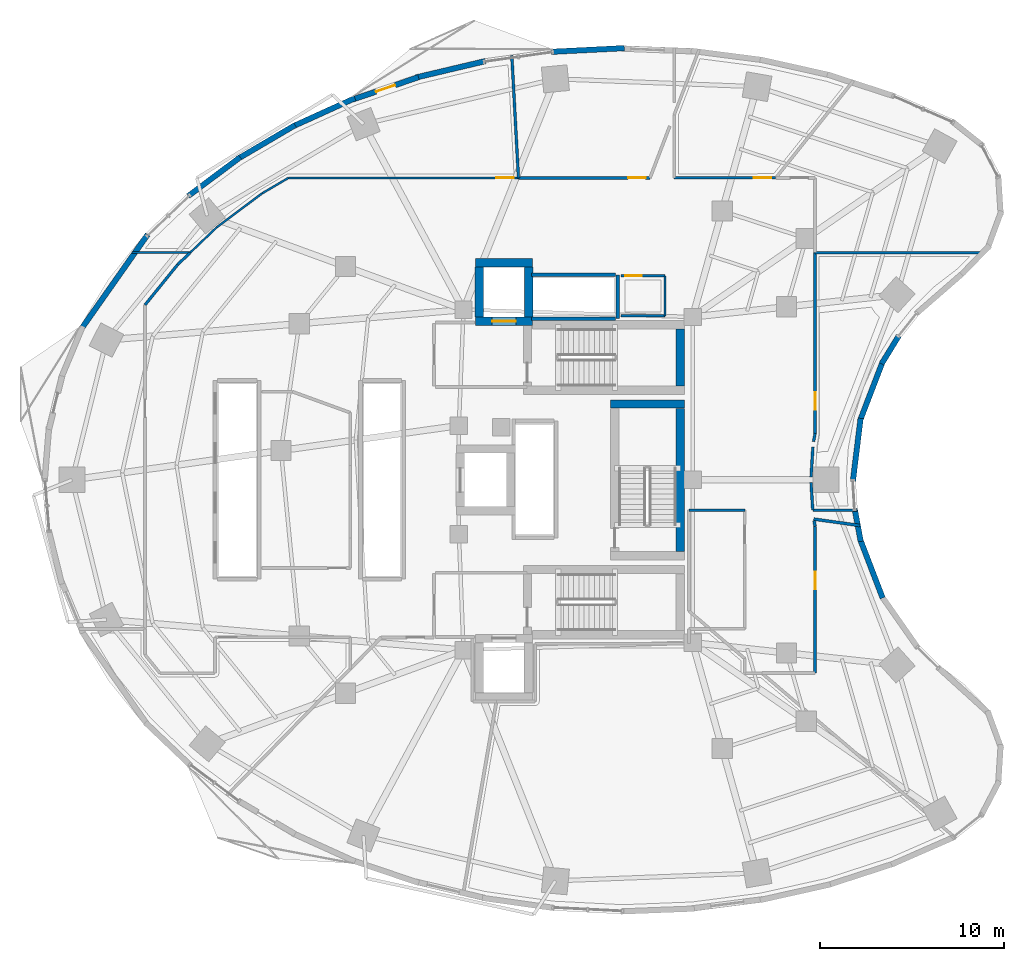
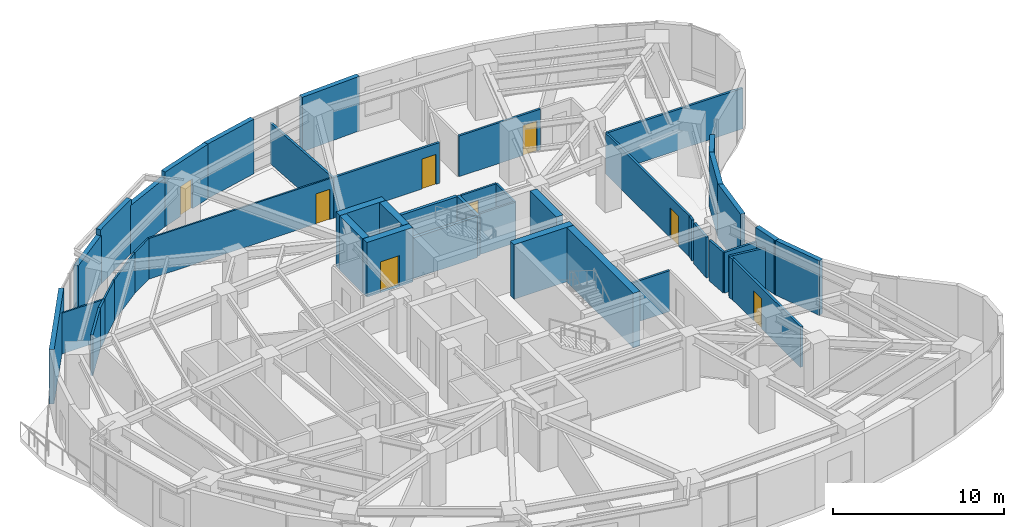
# One storey, part 10 of 14: 45 walls, 8 doors, 8 openings.
"""IFC4 building model written with IfcOpenShell, lengths in metres."""

from ifc_helpers import new_model, si_unit, direction, frame, frame_2d, origin, place, context, subcontext, project, spatial, rectangle, extrude, material, layer, layer_set, type_object, element, fill, save


model = new_model("IFC4")

# Units and contexts
model_context = context("Model", 3, precision=1e-05, world=origin(), true_north=direction((0.0, 1.0)))
body_context = subcontext(model_context, "Body", "Model", "MODEL_VIEW")
ifc_project = project(units=[si_unit("LENGTHUNIT", "METRE"), si_unit("AREAUNIT", "SQUARE_METRE"), si_unit("VOLUMEUNIT", "CUBIC_METRE"), si_unit("PLANEANGLEUNIT", "RADIAN"), si_unit("MASSUNIT", "GRAM", prefix="KILO")], contexts=[model_context])

# Site, building, storey
site_placement = place(None, origin())
site = spatial("IfcSite", under=ifc_project, at=site_placement, CompositionType="ELEMENT")
building_placement = place(site_placement, origin())
building = spatial("IfcBuilding", under=site, at=building_placement, Name="Korentha Bioscience Tower", CompositionType="ELEMENT")
storey_placement = place(building_placement, frame((0.0, 0.0, 51.0)))
storey = spatial("IfcBuildingStorey", under=building, at=storey_placement, Name="L11", CompositionType="ELEMENT", Elevation=51.0)

# Wall, opening, door
ifc_material_1 = material(Name="Double-Stud Acoustic Gypsum", Category="gypsum")
ifc_layer_1 = layer(ifc_material_1, 0.14990234375, Name="Double-Stud Acoustic Gypsum")
ifc_layer_set_1 = layer_set([ifc_layer_1], Name="Double-Stud Acoustic Gypsum (IW-L150)")
wall_type_1 = type_object("IfcWallType", Name="Acoustic Laboratory Partition Wall 150", PredefinedType="PARTITIONING", material=ifc_layer_set_1)
wall_1_placement = place(storey_placement, frame((44.2099609375, 29.529541015625, 0.0), z_axis=(0.0, 0.0, 1.0), x_axis=(0.0, 1.0, 0.0)))
wall_1 = element("IfcWall", 1, at=wall_1_placement, inside=storey, type_object=wall_type_1, Name="L11 Engineered Bio-Foundry Wet Lab 06 Entrance Wall", PredefinedType="PARTITIONING", context=body_context, shape_type="SweptSolid", body=[
    extrude(rectangle(XDim=9.818359375, YDim=0.14990234375, at=frame_2d((4.9091796875, 0.0))), origin(), (0.0, 0.0, 1.0), 2.909912109375),
])
opening_1_placement = place(wall_1_placement, frame((1.27392578125, 0.0, 0.0)))
opening_1 = element("IfcOpeningElement", 2, at=opening_1_placement, cuts=wall_1, Name="Opening ID-10R", PredefinedType="OPENING", context=body_context, shape_type="SweptSolid", body=[
    extrude(rectangle(XDim=0.949951171875, YDim=2.14990234375, at=frame_2d((0.47509765625, 1.074951171875))), frame((0.0, 0.08984375, 0.0), z_axis=(0.0, -1.0, 0.0), x_axis=(1.0, 0.0, 0.0)), (0.0, 0.0, 1.0), 0.1796875),
])
ifc_material_2 = material(Name="Phenolic Laminate Timber Core", Category="wood")
door_type_1 = type_object("IfcDoorType", Name="Laboratory Single Leaf Door 950x2150 Right", OperationType="SINGLE_SWING_RIGHT", PredefinedType="DOOR", material=ifc_material_2)
door_1_placement = place(opening_1_placement, origin())
door_1 = element("IfcDoor", 3, at=door_1_placement, inside=storey, type_object=door_type_1, Name="L11 Engineered Bio-Foundry Wet Lab 06 Door", OperationType="SINGLE_SWING_RIGHT", OverallHeight=2.14990234375, OverallWidth=0.949951171875, PredefinedType="DOOR", context=body_context, shape_type="SweptSolid", body=[
    extrude(rectangle(XDim=0.949951171875, YDim=2.14990234375, at=frame_2d((0.47509765625, 1.074951171875))), frame((0.0, 0.02490234375, 0.0), z_axis=(0.0, -1.0, 0.0), x_axis=(1.0, 0.0, 0.0)), (0.0, 0.0, 1.0), 0.050048828125),
])
fill(opening_1, door_1)

wall_2_placement = place(storey_placement, frame((35.23779296875, 43.409912109375, 0.0), z_axis=(0.0, 0.0, 1.0), x_axis=(-1.0, 0.0, 0.0)))
wall_2 = element("IfcWall", 4, at=wall_2_placement, inside=storey, type_object=wall_type_1, Name="L11 Optical Metrology Darkroom 09 Entrance Wall", PredefinedType="PARTITIONING", context=body_context, shape_type="SweptSolid", body=[
    extrude(rectangle(XDim=7.15087890625, YDim=0.14990234375, at=frame_2d((3.575439453125, 0.0))), origin(), (0.0, 0.0, 1.0), 2.909912109375),
])
opening_2_placement = place(wall_2_placement, frame((0.239990234375, 0.0, 0.0)))
opening_2 = element("IfcOpeningElement", 5, at=opening_2_placement, cuts=wall_2, Name="Opening ID-10L", PredefinedType="OPENING", context=body_context, shape_type="SweptSolid", body=[
    extrude(rectangle(XDim=0.949951171875, YDim=2.14990234375, at=frame_2d((0.47509765625, 1.074951171875))), frame((0.0, 0.08984375, 0.0), z_axis=(0.0, -1.0, 0.0), x_axis=(1.0, 0.0, 0.0)), (0.0, 0.0, 1.0), 0.1796875),
])
door_type_2 = type_object("IfcDoorType", Name="Laboratory Single Leaf Door 950x2150 Left", OperationType="SINGLE_SWING_LEFT", PredefinedType="DOOR", material=ifc_material_2)
door_2_placement = place(opening_2_placement, origin())
door_2 = element("IfcDoor", 6, at=door_2_placement, inside=storey, type_object=door_type_2, Name="L11 Optical Metrology Darkroom 09 Door", OperationType="SINGLE_SWING_LEFT", OverallHeight=2.14990234375, OverallWidth=0.949951171875, PredefinedType="DOOR", context=body_context, shape_type="SweptSolid", body=[
    extrude(rectangle(XDim=0.949951171875, YDim=2.14990234375, at=frame_2d((0.47509765625, 1.074951171875))), frame((0.0, 0.02490234375, 0.0), z_axis=(0.0, -1.0, 0.0), x_axis=(1.0, 0.0, 0.0)), (0.0, 0.0, 1.0), 0.050048828125),
])
fill(opening_2, door_2)

# Walls
wall_3_placement = place(storey_placement, frame((37.360107421875, 25.347900390625, 0.0), z_axis=(0.0, 0.0, 1.0), x_axis=(1.0, 0.0, 0.0)))
element("IfcWall", 7, at=wall_3_placement, inside=storey, type_object=wall_type_1, Name="L11 Interior Partition 037", PredefinedType="PARTITIONING", context=body_context, shape_type="SweptSolid", body=[
    extrude(rectangle(XDim=3.02978515625, YDim=0.14990234375, at=frame_2d((1.514892578125, 0.0))), origin(), (0.0, 0.0, 1.0), 2.909912109375),
])
wall_4_placement = place(storey_placement, frame((46.49609375, 25.35205078125, 0.0), z_axis=(0.0, 0.0, 1.0), x_axis=(-1.0, 0.0, 0.0)))
element("IfcWall", 8, at=wall_4_placement, inside=storey, type_object=wall_type_1, Name="L11 Interior Partition 047", PredefinedType="PARTITIONING", context=body_context, shape_type="SweptSolid", body=[
    extrude(rectangle(XDim=2.4140625, YDim=0.14990234375, at=frame_2d((1.20703125, 0.0))), origin(), (0.0, 0.0, 1.0), 2.909912109375),
])
wall_5_placement = place(storey_placement, frame((44.08203125, 25.35205078125, 0.0), z_axis=(0.0, 0.0, 1.0), x_axis=(-0.061103455021, 0.998131438131, 0.0)))
element("IfcWall", 9, at=wall_5_placement, inside=storey, type_object=wall_type_1, Name="L11 Interior Partition 048", PredefinedType="PARTITIONING", context=body_context, shape_type="SweptSolid", body=[
    extrude(rectangle(XDim=1.502197265625, YDim=0.14990234375, at=frame_2d((0.7509765625, 0.0))), origin(), (0.0, 0.0, 1.0), 2.909912109375),
])
wall_6_placement = place(storey_placement, frame((43.990234375, 27.1484375, 0.0), z_axis=(0.0, 0.0, 1.0), x_axis=(0.060976688407, 0.998139190429, 0.0)))
element("IfcWall", 10, at=wall_6_placement, inside=storey, type_object=wall_type_1, Name="L11 Interior Partition 049", PredefinedType="PARTITIONING", context=body_context, shape_type="SweptSolid", body=[
    extrude(rectangle(XDim=1.637451171875, YDim=0.14990234375, at=frame_2d((0.81884765625, 0.0))), origin(), (0.0, 0.0, 1.0), 2.909912109375),
])
wall_7_placement = place(storey_placement, frame((44.12646484375, 29.077880859375, 0.0), z_axis=(0.0, 0.0, 1.0), x_axis=(0.181936414242, 0.983310297502, 0.0)))
element("IfcWall", 11, at=wall_7_placement, inside=storey, type_object=wall_type_1, Name="L11 Interior Partition 050", PredefinedType="PARTITIONING", context=body_context, shape_type="SweptSolid", body=[
    extrude(rectangle(XDim=0.45751953125, YDim=0.14990234375, at=frame_2d((0.228759765625, 0.0))), origin(), (0.0, 0.0, 1.0), 2.909912109375),
])
wall_8_placement = place(storey_placement, frame((44.2099609375, 39.347900390625, 0.0), z_axis=(0.0, 0.0, 1.0), x_axis=(1.0, 0.0, 0.0)))
element("IfcWall", 12, at=wall_8_placement, inside=storey, type_object=wall_type_1, Name="L11 Interior Partition 051", PredefinedType="PARTITIONING", context=body_context, shape_type="SweptSolid", body=[
    extrude(rectangle(XDim=9.172607421875, YDim=0.14990234375, at=frame_2d((4.58642578125, 0.0))), origin(), (0.0, 0.0, 1.0), 2.909912109375),
])
wall_9_placement = place(storey_placement, frame((28.0869140625, 43.409912109375, 0.0), z_axis=(0.0, 0.0, 1.0), x_axis=(-0.054075825804, 0.998536832102, 0.0)))
element("IfcWall", 13, at=wall_9_placement, inside=storey, type_object=wall_type_1, Name="L11 Interior Partition 058", PredefinedType="PARTITIONING", context=body_context, shape_type="SweptSolid", body=[
    extrude(rectangle(XDim=6.6728515625, YDim=0.14990234375, at=frame_2d((3.33642578125, 0.0))), origin(), (0.0, 0.0, 1.0), 2.909912109375),
])
wall_10_placement = place(storey_placement, frame((10.2412109375, 39.342041015625, 0.0), z_axis=(0.0, 0.0, 1.0), x_axis=(-0.723783132033, -0.690027519585, 0.0)))
element("IfcWall", 14, at=wall_10_placement, inside=storey, type_object=wall_type_1, Name="L11 Interior Partition 063", PredefinedType="PARTITIONING", context=body_context, shape_type="SweptSolid", body=[
    extrude(rectangle(XDim=0.93310546875, YDim=0.14990234375, at=frame_2d((0.466552734375, 0.0))), origin(), (0.0, 0.0, 1.0), 2.909912109375),
])
wall_11_placement = place(storey_placement, frame((9.565185546875, 38.697265625, 0.0), z_axis=(0.0, 0.0, 1.0), x_axis=(-0.629270515505, -0.777186347227, 0.0)))
element("IfcWall", 15, at=wall_11_placement, inside=storey, type_object=wall_type_1, Name="L11 Interior Partition 064", PredefinedType="PARTITIONING", context=body_context, shape_type="SweptSolid", body=[
    extrude(rectangle(XDim=2.8173828125, YDim=0.14990234375, at=frame_2d((1.40869140625, 0.0))), origin(), (0.0, 0.0, 1.0), 2.909912109375),
])

# Wall, opening, door
ifc_material_3 = material(Name="Insulated Aluminium Honeycomb Panel", Category="aluminium")
ifc_layer_2 = layer(ifc_material_3, 0.139892578125, Name="Insulated Aluminium Honeycomb Panel")
ifc_layer_set_2 = layer_set([ifc_layer_2], Name="Insulated Aluminium Honeycomb Panel (IW-F60)")
wall_type_2 = type_object("IfcWallType", Name="Cleanroom Flush Metal Panel Partition 140", PredefinedType="PARTITIONING", material=ifc_layer_set_2)
wall_12_placement = place(storey_placement, frame((42.066162109375, 43.409912109375, 0.0), z_axis=(0.0, 0.0, 1.0), x_axis=(-1.0, 0.0, 0.0)))
wall_12 = element("IfcWall", 16, at=wall_12_placement, inside=storey, type_object=wall_type_2, Name="L11 Microfluidics Biochip Cleanroom 08 Entrance Wall", PredefinedType="PARTITIONING", context=body_context, shape_type="SweptSolid", body=[
    extrude(rectangle(XDim=5.51416015625, YDim=0.139892578125, at=frame_2d((2.757080078125, 0.0))), origin(), (0.0, 0.0, 1.0), 2.909912109375),
])
opening_3_placement = place(wall_12_placement, frame((0.239990234375, 0.0, 0.0)))
opening_3 = element("IfcOpeningElement", 17, at=opening_3_placement, cuts=wall_12, Name="Opening ID-10R", PredefinedType="OPENING", context=body_context, shape_type="SweptSolid", body=[
    extrude(rectangle(XDim=0.949951171875, YDim=2.14990234375, at=frame_2d((0.47509765625, 1.074951171875))), frame((0.0, 0.0849609375, 0.0), z_axis=(0.0, -1.0, 0.0), x_axis=(1.0, 0.0, 0.0)), (0.0, 0.0, 1.0), 0.169677734375),
])
door_3_placement = place(opening_3_placement, origin())
door_3 = element("IfcDoor", 18, at=door_3_placement, inside=storey, type_object=door_type_1, Name="L11 Microfluidics Biochip Cleanroom 08 Door", OperationType="SINGLE_SWING_RIGHT", OverallHeight=2.14990234375, OverallWidth=0.949951171875, PredefinedType="DOOR", context=body_context, shape_type="SweptSolid", body=[
    extrude(rectangle(XDim=0.949951171875, YDim=2.14990234375, at=frame_2d((0.47509765625, 1.074951171875))), frame((0.0, 0.02490234375, 0.0), z_axis=(0.0, -1.0, 0.0), x_axis=(1.0, 0.0, 0.0)), (0.0, 0.0, 1.0), 0.050048828125),
])
fill(opening_3, door_3)

ifc_material_4 = material(Name="Fire-Rated Framed Glass", Category="glass")
ifc_layer_3 = layer(ifc_material_4, 0.110107421875, Name="Fire-Rated Framed Glass")
ifc_layer_set_3 = layer_set([ifc_layer_3], Name="Fire-Rated Framed Glass (IW-G110)")
wall_type_3 = type_object("IfcWallType", Name="Demountable Glazed Office Partition 110", PredefinedType="MOVABLE", material=ifc_layer_set_3)
wall_13_placement = place(storey_placement, frame((28.076904296875, 43.409912109375, 0.0), z_axis=(0.0, 0.0, 1.0), x_axis=(-1.0, 0.0, 0.0)))
wall_13 = element("IfcWall", 19, at=wall_13_placement, inside=storey, type_object=wall_type_3, Name="L11 Visiting Faculty Study Office 10 Entrance Wall", PredefinedType="MOVABLE", context=body_context, shape_type="SweptSolid", body=[
    extrude(rectangle(XDim=12.486083984375, YDim=0.110107421875, at=frame_2d((6.2431640625, 0.0))), origin(), (0.0, 0.0, 1.0), 2.909912109375),
])
opening_4_placement = place(wall_13_placement, frame((0.239990234375, 0.0, 0.0)))
opening_4 = element("IfcOpeningElement", 20, at=opening_4_placement, cuts=wall_13, Name="Opening ID-10R", PredefinedType="OPENING", context=body_context, shape_type="SweptSolid", body=[
    extrude(rectangle(XDim=0.949951171875, YDim=2.14990234375, at=frame_2d((0.47509765625, 1.074951171875))), frame((0.0, 0.06982421875, 0.0), z_axis=(0.0, -1.0, 0.0), x_axis=(1.0, 0.0, 0.0)), (0.0, 0.0, 1.0), 0.139892578125),
])
door_4_placement = place(opening_4_placement, origin())
door_4 = element("IfcDoor", 21, at=door_4_placement, inside=storey, type_object=door_type_1, Name="L11 Visiting Faculty Study Office 10 Door", OperationType="SINGLE_SWING_RIGHT", OverallHeight=2.14990234375, OverallWidth=0.949951171875, PredefinedType="DOOR", context=body_context, shape_type="SweptSolid", body=[
    extrude(rectangle(XDim=0.949951171875, YDim=2.14990234375, at=frame_2d((0.47509765625, 1.074951171875))), frame((0.0, 0.02490234375, 0.0), z_axis=(0.0, -1.0, 0.0), x_axis=(1.0, 0.0, 0.0)), (0.0, 0.0, 1.0), 0.050048828125),
])
fill(opening_4, door_4)

# Walls
wall_14_placement = place(storey_placement, frame((15.585693359375, 43.40869140625, 0.0), z_axis=(0.0, 0.0, 1.0), x_axis=(-0.862446636904, -0.506148000582, 0.0)))
element("IfcWall", 22, at=wall_14_placement, inside=storey, type_object=wall_type_3, Name="L11 Interior Partition 059", PredefinedType="MOVABLE", context=body_context, shape_type="SweptSolid", body=[
    extrude(rectangle(XDim=1.652099609375, YDim=0.110107421875, at=frame_2d((0.826171875, 0.0))), origin(), (0.0, 0.0, 1.0), 2.909912109375),
])
wall_15_placement = place(storey_placement, frame((14.159912109375, 42.57177734375, 0.0), z_axis=(0.0, 0.0, 1.0), x_axis=(-0.800808090092, -0.598921032227, 0.0)))
element("IfcWall", 23, at=wall_15_placement, inside=storey, type_object=wall_type_3, Name="L11 Interior Partition 060", PredefinedType="MOVABLE", context=body_context, shape_type="SweptSolid", body=[
    extrude(rectangle(XDim=3.078857421875, YDim=0.110107421875, at=frame_2d((1.53955078125, 0.0))), origin(), (0.0, 0.0, 1.0), 2.909912109375),
])
wall_16_placement = place(storey_placement, frame((11.693359375, 40.72705078125, 0.0), z_axis=(0.0, 0.0, 1.0), x_axis=(-0.723636479822, -0.690181313185, 0.0)))
element("IfcWall", 24, at=wall_16_placement, inside=storey, type_object=wall_type_3, Name="L11 Interior Partition 061", PredefinedType="MOVABLE", context=body_context, shape_type="SweptSolid", body=[
    extrude(rectangle(XDim=1.9921875, YDim=0.110107421875, at=frame_2d((0.99609375, 0.0))), origin(), (0.0, 0.0, 1.0), 2.909912109375),
])
wall_17_placement = place(storey_placement, frame((10.251708984375, 39.35205078125, 0.0), z_axis=(0.0, 0.0, 1.0), x_axis=(-1.0, 0.0, 0.0)))
element("IfcWall", 25, at=wall_17_placement, inside=storey, type_object=wall_type_3, Name="L11 Interior Partition 062", PredefinedType="MOVABLE", context=body_context, shape_type="SweptSolid", body=[
    extrude(rectangle(XDim=3.179931640625, YDim=0.110107421875, at=frame_2d((1.58984375, 0.0))), origin(), (0.0, 0.0, 1.0), 2.909912109375),
])

# Wall, opening, door
ifc_material_5 = material(Name="Gypsum-Clad Steel Stud", Category="steel")
ifc_layer_4 = layer(ifc_material_5, 0.159912109375, Name="Gypsum-Clad Steel Stud")
ifc_layer_set_4 = layer_set([ifc_layer_4], Name="Gypsum-Clad Steel Stud (IW-C160)")
wall_type_4 = type_object("IfcWallType", Name="Fire-Rated Corridor Partition Wall 160", PredefinedType="PARTITIONING", material=ifc_layer_set_4)
wall_18_placement = place(storey_placement, frame((44.2099609375, 16.5, 0.0), z_axis=(0.0, 0.0, 1.0), x_axis=(0.0, 1.0, 0.0)))
wall_18 = element("IfcWall", 26, at=wall_18_placement, inside=storey, type_object=wall_type_4, Name="L11 Instrument Calibration Workshop 05 Entrance Wall", PredefinedType="PARTITIONING", context=body_context, shape_type="SweptSolid", body=[
    extrude(rectangle(XDim=7.970458984375, YDim=0.159912109375, at=frame_2d((3.9853515625, 0.0))), origin(), (0.0, 0.0, 1.0), 2.909912109375),
])
opening_5_placement = place(wall_18_placement, frame((4.55029296875, 0.0, 0.0)))
opening_5 = element("IfcOpeningElement", 27, at=opening_5_placement, cuts=wall_18, Name="Opening ID-10L", PredefinedType="OPENING", context=body_context, shape_type="SweptSolid", body=[
    extrude(rectangle(XDim=0.949951171875, YDim=2.14990234375, at=frame_2d((0.47509765625, 1.074951171875))), frame((0.0, 0.0947265625, 0.0), z_axis=(0.0, -1.0, 0.0), x_axis=(1.0, 0.0, 0.0)), (0.0, 0.0, 1.0), 0.189697265625),
])
door_5_placement = place(opening_5_placement, origin())
door_5 = element("IfcDoor", 28, at=door_5_placement, inside=storey, type_object=door_type_2, Name="L11 Instrument Calibration Workshop 05 Door", OperationType="SINGLE_SWING_LEFT", OverallHeight=2.14990234375, OverallWidth=0.949951171875, PredefinedType="DOOR", context=body_context, shape_type="SweptSolid", body=[
    extrude(rectangle(XDim=0.949951171875, YDim=2.14990234375, at=frame_2d((0.47509765625, 1.074951171875))), frame((0.0, 0.02490234375, 0.0), z_axis=(0.0, -1.0, 0.0), x_axis=(1.0, 0.0, 0.0)), (0.0, 0.0, 1.0), 0.050048828125),
])
fill(opening_5, door_5)

# Walls
wall_19_placement = place(storey_placement, frame((44.209716796875, 24.47216796875, 0.0), z_axis=(0.0, 0.0, 1.0), x_axis=(-0.181894409505, 0.983318068476, 0.0)))
element("IfcWall", 29, at=wall_19_placement, inside=storey, type_object=wall_type_4, Name="L11 Interior Partition 045", PredefinedType="PARTITIONING", context=body_context, shape_type="SweptSolid", body=[
    extrude(rectangle(XDim=0.31396484375, YDim=0.159912109375, at=frame_2d((0.156982421875, 0.0))), origin(), (0.0, 0.0, 1.0), 2.909912109375),
])
wall_20_placement = place(storey_placement, frame((44.13671875, 24.866943359375, 0.0), z_axis=(0.0, 0.0, 1.0), x_axis=(0.990271563932, -0.139148229124, 0.0)))
element("IfcWall", 30, at=wall_20_placement, inside=storey, type_object=wall_type_4, Name="L11 Interior Partition 046", PredefinedType="PARTITIONING", context=body_context, shape_type="SweptSolid", body=[
    extrude(rectangle(XDim=2.526611328125, YDim=0.159912109375, at=frame_2d((1.26318359375, 0.0))), origin(), (0.0, 0.0, 1.0), 2.909912109375),
])

# Wall, opening, door
ifc_material_6 = material(Name="Honed Limestone Precast Concrete C40", Category="masonry")
ifc_layer_5 = layer(ifc_material_6, 0.300048828125, Name="Honed Limestone Precast Concrete C40")
ifc_layer_set_5 = layer_set([ifc_layer_5], Name="Honed Limestone Precast Concrete C40 (EW-ST300)")
wall_type_5 = type_object("IfcWallType", Name="Honed Limestone Cavity Spandrel Wall 300", PredefinedType="STANDARD", material=ifc_layer_set_5)
wall_21_placement = place(storey_placement, frame((22.654541015625, 48.8837890625, 0.0), z_axis=(0.0, 0.0, 1.0), x_axis=(-0.947034337234, -0.321132315564, 0.0)))
wall_21 = element("IfcWall", 31, at=wall_21_placement, inside=storey, type_object=wall_type_5, Name="L11 Balcony Threshold Wall 01", PredefinedType="STANDARD", context=body_context, shape_type="SweptSolid", body=[
    extrude(rectangle(XDim=3.789794921875, YDim=0.300048828125, at=frame_2d((1.89501953125, 0.0))), origin(), (0.0, 0.0, 1.0), 3.89990234375),
])
opening_6_placement = place(wall_21_placement, frame((1.344970703125, 0.0, 0.0)))
opening_6 = element("IfcOpeningElement", 32, at=opening_6_placement, cuts=wall_21, Name="Opening BD-11L", PredefinedType="OPENING", context=body_context, shape_type="SweptSolid", body=[
    extrude(rectangle(XDim=1.10009765625, YDim=2.14990234375, at=frame_2d((0.550048828125, 1.074951171875))), frame((0.0, 0.1650390625, 0.0), z_axis=(0.0, -1.0, 0.0), x_axis=(1.0, 0.0, 0.0)), (0.0, 0.0, 1.0), 0.329833984375),
])
ifc_material_7 = material(Name="Thermally Broken Glazed Aluminium", Category="aluminium")
door_type_3 = type_object("IfcDoorType", Name="Balcony Terrace Glazed Door 1100x2150 Left", OperationType="SINGLE_SWING_LEFT", PredefinedType="DOOR", material=ifc_material_7)
door_6_placement = place(opening_6_placement, origin())
door_6 = element("IfcDoor", 33, at=door_6_placement, inside=storey, type_object=door_type_3, Name="L11 Balcony Access Door 01", OperationType="SINGLE_SWING_LEFT", OverallHeight=2.14990234375, OverallWidth=1.10009765625, PredefinedType="DOOR", context=body_context, shape_type="SweptSolid", body=[
    extrude(rectangle(XDim=1.10009765625, YDim=2.14990234375, at=frame_2d((0.550048828125, 1.074951171875))), frame((0.0, 0.02490234375, 0.0), z_axis=(0.0, -1.0, 0.0), x_axis=(1.0, 0.0, 0.0)), (0.0, 0.0, 1.0), 0.050048828125),
])
fill(opening_6, door_6)

# Walls
wall_22_placement = place(storey_placement, frame((33.84033203125, 50.46337890625, 0.0), z_axis=(0.0, 0.0, 1.0), x_axis=(-0.998732359232, -0.050335619826, 0.0)))
element("IfcWall", 34, at=wall_22_placement, inside=storey, type_object=wall_type_5, Name="L11 Limestone Perimeter Closure Wall 06", PredefinedType="STANDARD", context=body_context, shape_type="SweptSolid", body=[
    extrude(rectangle(XDim=3.977294921875, YDim=0.300048828125, at=frame_2d((1.98876953125, 0.0))), origin(), (0.0, 0.0, 1.0), 3.89990234375),
])
wall_23_placement = place(storey_placement, frame((26.29736328125, 49.7587890625, 0.0), z_axis=(0.0, 0.0, 1.0), x_axis=(-0.973197600754, -0.229970497863, 0.0)))
element("IfcWall", 35, at=wall_23_placement, inside=storey, type_object=wall_type_5, Name="L11 Limestone Perimeter Closure Wall 08", PredefinedType="STANDARD", context=body_context, shape_type="SweptSolid", body=[
    extrude(rectangle(XDim=3.9013671875, YDim=0.300048828125, at=frame_2d((1.95068359375, 0.0))), origin(), (0.0, 0.0, 1.0), 3.89990234375),
])
wall_24_placement = place(storey_placement, frame((19.201416015625, 47.7431640625, 0.0), z_axis=(0.0, 0.0, 1.0), x_axis=(-0.910623406862, -0.413237233166, 0.0)))
element("IfcWall", 36, at=wall_24_placement, inside=storey, type_object=wall_type_5, Name="L11 Limestone Perimeter Closure Wall 10", PredefinedType="STANDARD", context=body_context, shape_type="SweptSolid", body=[
    extrude(rectangle(XDim=3.73974609375, YDim=0.300048828125, at=frame_2d((1.869873046875, 0.0))), origin(), (0.0, 0.0, 1.0), 3.469970703125),
])
wall_25_placement = place(storey_placement, frame((15.95068359375, 46.27783203125, 0.0), z_axis=(0.0, 0.0, 1.0), x_axis=(-0.8624654944, -0.506115867139, 0.0)))
element("IfcWall", 37, at=wall_25_placement, inside=storey, type_object=wall_type_5, Name="L11 Limestone Perimeter Closure Wall 11", PredefinedType="STANDARD", context=body_context, shape_type="SweptSolid", body=[
    extrude(rectangle(XDim=3.63525390625, YDim=0.300048828125, at=frame_2d((1.817626953125, 0.0))), origin(), (0.0, 0.0, 1.0), 3.89990234375),
])
wall_26_placement = place(storey_placement, frame((12.96142578125, 44.53515625, 0.0), z_axis=(0.0, 0.0, 1.0), x_axis=(-0.800823020995, -0.598901067827, 0.0)))
element("IfcWall", 38, at=wall_26_placement, inside=storey, type_object=wall_type_5, Name="L11 Limestone Perimeter Closure Wall 12", PredefinedType="STANDARD", context=body_context, shape_type="SweptSolid", body=[
    extrude(rectangle(XDim=3.520751953125, YDim=0.300048828125, at=frame_2d((1.76025390625, 0.0))), origin(), (0.0, 0.0, 1.0), 3.469970703125),
])
wall_27_placement = place(storey_placement, frame((7.935791015625, 40.333251953125, 0.0), z_axis=(0.0, 0.0, 1.0), x_axis=(-0.575165804445, -0.818036855769, 0.0)))
element("IfcWall", 39, at=wall_27_placement, inside=storey, type_object=wall_type_5, Name="L11 Limestone Perimeter Closure Wall 14", PredefinedType="STANDARD", context=body_context, shape_type="SweptSolid", body=[
    extrude(rectangle(XDim=6.295654296875, YDim=0.300048828125, at=frame_2d((3.14794921875, 0.0))), origin(), (0.0, 0.0, 1.0), 3.89990234375),
])
wall_28_placement = place(storey_placement, frame((47.8837890625, 20.577392578125, 0.0), z_axis=(0.0, 0.0, 1.0), x_axis=(-0.358344570513, 0.933589400531, 0.0)))
element("IfcWall", 40, at=wall_28_placement, inside=storey, type_object=wall_type_5, Name="L11 Limestone Perimeter Closure Wall 46", PredefinedType="STANDARD", context=body_context, shape_type="SweptSolid", body=[
    extrude(rectangle(XDim=3.4296875, YDim=0.300048828125, at=frame_2d((1.71484375, 0.0))), origin(), (0.0, 0.0, 1.0), 3.89990234375),
])
wall_29_placement = place(storey_placement, frame((46.691162109375, 23.650390625, 0.0), z_axis=(0.0, 0.0, 1.0), x_axis=(-0.182230271073, 0.983255881399, 0.0)))
element("IfcWall", 41, at=wall_29_placement, inside=storey, type_object=wall_type_5, Name="L11 Limestone Perimeter Closure Wall 48", PredefinedType="STANDARD", context=body_context, shape_type="SweptSolid", body=[
    extrude(rectangle(XDim=1.7978515625, YDim=0.300048828125, at=frame_2d((0.89892578125, 0.0))), origin(), (0.0, 0.0, 1.0), 3.89990234375),
])
for number, where, z_axis, x_axis, name in (
    (42, (46.26708984375, 26.937744140625, 0.0), (0.0, 0.0, 1.0), (0.121870386032, 0.992546023622, 0.0), "L11 Limestone Perimeter Closure Wall 50"),
    (43, (46.65478515625, 30.220703125, 0.0), (0.0, 0.0, 1.0), (0.358344570513, 0.933589400531, 0.0), "L11 Limestone Perimeter Closure Wall 52"),
):
    element("IfcWall", number, at=place(storey_placement, frame(where, z_axis=z_axis, x_axis=x_axis)), inside=storey, type_object=wall_type_5, Name=name, PredefinedType="STANDARD", context=body_context, shape_type="SweptSolid", body=[
        extrude(rectangle(XDim=3.4296875, YDim=0.300048828125, at=frame_2d((1.71484375, 0.0))), origin(), (0.0, 0.0, 1.0), 3.89990234375),
    ])
wall_30_placement = place(storey_placement, frame((47.82470703125, 33.302734375, 0.0), z_axis=(0.0, 0.0, 1.0), x_axis=(0.522520662875, 0.852626622191, 0.0)))
element("IfcWall", 44, at=wall_30_placement, inside=storey, type_object=wall_type_5, Name="L11 Limestone Perimeter Closure Wall 54", PredefinedType="STANDARD", context=body_context, shape_type="SweptSolid", body=[
    extrude(rectangle(XDim=1.7978515625, YDim=0.300048828125, at=frame_2d((0.89892578125, 0.0))), origin(), (0.0, 0.0, 1.0), 3.89990234375),
])
ifc_material_8 = material(Name="Autoclaved Aerated Concrete Block C25", Category="concrete")
ifc_layer_6 = layer(ifc_material_8, 0.199951171875, Name="Autoclaved Aerated Concrete Block C25")
ifc_layer_set_6 = layer_set([ifc_layer_6], Name="Autoclaved Aerated Concrete Block C25 (IW-S200)")
wall_type_6 = type_object("IfcWallType", Name="Lift and Riser Shaft Enclosure Wall 200", PredefinedType="PARTITIONING", material=ifc_layer_set_6)
wall_31_placement = place(storey_placement, frame((33.489990234375, 35.760009765625, 0.0), z_axis=(0.0, 0.0, 1.0), x_axis=(0.0, 1.0, 0.0)))
element("IfcWall", 45, at=wall_31_placement, inside=storey, type_object=wall_type_6, Name="L11 Lift Bank OBS Shaft Wall +X", PredefinedType="PARTITIONING", context=body_context, shape_type="SweptSolid", body=[
    extrude(rectangle(XDim=2.3798828125, YDim=0.199951171875, at=frame_2d((1.18994140625, 0.0))), origin(), (0.0, 0.0, 1.0), 2.909912109375),
])
for number, where, z_axis, x_axis, name in (
    (46, (28.800048828125, 35.760009765625, 0.0), (0.0, 0.0, 1.0), (1.0, 0.0, 0.0), "L11 Lift Bank OBS Shaft Wall -Y"),
    (47, (28.800048828125, 38.139892578125, 0.0), (0.0, 0.0, 1.0), (1.0, 0.0, 0.0), "L11 Lift Bank OBS Shaft Wall +Y"),
):
    element("IfcWall", number, at=place(storey_placement, frame(where, z_axis=z_axis, x_axis=x_axis)), inside=storey, type_object=wall_type_6, Name=name, PredefinedType="PARTITIONING", context=body_context, shape_type="SweptSolid", body=[
        extrude(rectangle(XDim=4.570068359375, YDim=0.199951171875, at=frame_2d((2.28515625, 0.0))), origin(), (0.0, 0.0, 1.0), 2.909912109375),
    ])
ifc_material_9 = material(Name="Concrete C80", Category="concrete")
ifc_layer_7 = layer(ifc_material_9, 0.449951171875, Name="Concrete C80")
ifc_layer_set_7 = layer_set([ifc_layer_7], Name="Concrete C80 (CW-C80)")
wall_type_7 = type_object("IfcWallType", Name="Lower Core Shear Wall 450", PredefinedType="SHEAR", material=ifc_layer_set_7)
wall_32_placement = place(storey_placement, frame((36.875, 32.110107421875, 0.0), z_axis=(0.0, 0.0, 1.0), x_axis=(0.0, 1.0, 0.0)))
element("IfcWall", 48, at=wall_32_placement, inside=storey, type_object=wall_type_7, Name="L11 Core Shear Wall ST1-E", PredefinedType="SHEAR", context=body_context, shape_type="SweptSolid", body=[
    extrude(rectangle(XDim=3.079833984375, YDim=0.449951171875, at=frame_2d((1.5400390625, 0.0))), origin(), (0.0, 0.0, 1.0), 3.89990234375),
])
wall_33_placement = place(storey_placement, frame((33.10009765625, 31.125, 0.0), z_axis=(0.0, 0.0, 1.0), x_axis=(1.0, 0.0, 0.0)))
element("IfcWall", 49, at=wall_33_placement, inside=storey, type_object=wall_type_7, Name="L11 Core Shear Wall ST3-N", PredefinedType="SHEAR", context=body_context, shape_type="SweptSolid", body=[
    extrude(rectangle(XDim=4.0, YDim=0.449951171875, at=frame_2d((2.0, 0.0))), origin(), (0.0, 0.0, 1.0), 3.89990234375),
])
wall_34_placement = place(storey_placement, frame((36.875, 23.110107421875, 0.0), z_axis=(0.0, 0.0, 1.0), x_axis=(0.0, 1.0, 0.0)))
element("IfcWall", 50, at=wall_34_placement, inside=storey, type_object=wall_type_7, Name="L11 Core Shear Wall ST3-E", PredefinedType="SHEAR", context=body_context, shape_type="SweptSolid", body=[
    extrude(rectangle(XDim=7.77978515625, YDim=0.449951171875, at=frame_2d((3.889892578125, 0.0))), origin(), (0.0, 0.0, 1.0), 3.89990234375),
])
wall_35_placement = place(storey_placement, frame((25.75, 38.800048828125, 0.0), z_axis=(0.0, 0.0, 1.0), x_axis=(1.0, 0.0, 0.0)))
element("IfcWall", 51, at=wall_35_placement, inside=storey, type_object=wall_type_7, Name="L11 Core Shear Wall FFL2-N", PredefinedType="SHEAR", context=body_context, shape_type="SweptSolid", body=[
    extrude(rectangle(XDim=3.10009765625, YDim=0.449951171875, at=frame_2d((1.550048828125, 0.0))), origin(), (0.0, 0.0, 1.0), 3.89990234375),
])

# Wall, opening, door
wall_36_placement = place(storey_placement, frame((25.75, 35.6201171875, 0.0), z_axis=(0.0, 0.0, 1.0), x_axis=(1.0, 0.0, 0.0)))
wall_36 = element("IfcWall", 52, at=wall_36_placement, inside=storey, type_object=wall_type_7, Name="L11 Core Shear Wall FFL2-S", PredefinedType="SHEAR", context=body_context, shape_type="SweptSolid", body=[
    extrude(rectangle(XDim=3.10009765625, YDim=0.449951171875, at=frame_2d((1.550048828125, 0.0))), origin(), (0.0, 0.0, 1.0), 3.89990234375),
])
opening_7_placement = place(wall_36_placement, frame((0.89990234375, 0.0, 0.0)))
opening_7 = element("IfcOpeningElement", 53, at=opening_7_placement, cuts=wall_36, Name="Opening LD-13", PredefinedType="OPENING", context=body_context, shape_type="SweptSolid", body=[
    extrude(rectangle(XDim=1.300048828125, YDim=2.199951171875, at=frame_2d((0.64990234375, 1.10009765625))), frame((0.0, 0.23974609375, 0.0), z_axis=(0.0, -1.0, 0.0), x_axis=(1.0, 0.0, 0.0)), (0.0, 0.0, 1.0), 0.479736328125),
])
ifc_material_10 = material(Name="Brushed Stainless Steel 316", Category="steel")
door_type_4 = type_object("IfcDoorType", Name="Service & Firefighting Lift Landing Door 1300x2300", OperationType="DOUBLE_DOOR_SLIDING", PredefinedType="DOOR", material=ifc_material_10)
door_7_placement = place(opening_7_placement, origin())
door_7 = element("IfcDoor", 54, at=door_7_placement, inside=storey, type_object=door_type_4, Name="L11 FFL-2 Sliding Lift Landing Door", OperationType="DOUBLE_DOOR_SLIDING", OverallHeight=2.199951171875, OverallWidth=1.300048828125, PredefinedType="DOOR", context=body_context, shape_type="SweptSolid", body=[
    extrude(rectangle(XDim=1.300048828125, YDim=2.199951171875, at=frame_2d((0.64990234375, 1.10009765625))), frame((0.0, 0.02490234375, 0.0), z_axis=(0.0, -1.0, 0.0), x_axis=(1.0, 0.0, 0.0)), (0.0, 0.0, 1.0), 0.050048828125),
])
fill(opening_7, door_7)

# Walls
for number, where, z_axis, x_axis, name in (
    (55, (25.949951171875, 35.860107421875, 0.0), (0.0, 0.0, 1.0), (0.0, 1.0, 0.0), "L11 Core Shear Wall FFL2-W"),
    (56, (28.64990234375, 35.860107421875, 0.0), (0.0, 0.0, 1.0), (0.0, 1.0, 0.0), "L11 Core Shear Wall FFL2-E"),
):
    element("IfcWall", number, at=place(storey_placement, frame(where, z_axis=z_axis, x_axis=x_axis)), inside=storey, type_object=wall_type_7, Name=name, PredefinedType="SHEAR", context=body_context, shape_type="SweptSolid", body=[
        extrude(rectangle(XDim=2.699951171875, YDim=0.449951171875, at=frame_2d((1.35009765625, 0.0))), origin(), (0.0, 0.0, 1.0), 3.89990234375),
    ])

# Wall, opening, door
ifc_material_11 = material(Name="Cement-Board Steel Stud", Category="steel")
ifc_layer_8 = layer(ifc_material_11, 0.1298828125, Name="Cement-Board Steel Stud")
ifc_layer_set_8 = layer_set([ifc_layer_8], Name="Cement-Board Steel Stud (IW-W130)")
wall_type_8 = type_object("IfcWallType", Name="Wet-Area Moisture-Resistant Partition 130", PredefinedType="PARTITIONING", material=ifc_layer_set_8)
wall_37_placement = place(storey_placement, frame((33.64990234375, 38.090087890625, 0.0), z_axis=(0.0, 0.0, 1.0), x_axis=(1.0, 0.0, 0.0)))
wall_37 = element("IfcWall", 57, at=wall_37_placement, inside=storey, type_object=wall_type_8, Name="L11 Accessible Staff WC Entrance Wall", PredefinedType="PARTITIONING", context=body_context, shape_type="SweptSolid", body=[
    extrude(rectangle(XDim=2.400146484375, YDim=0.1298828125, at=frame_2d((1.2001953125, 0.0))), origin(), (0.0, 0.0, 1.0), 2.909912109375),
])
opening_8_placement = place(wall_37_placement, frame((0.239990234375, 0.0, 0.0)))
opening_8 = element("IfcOpeningElement", 58, at=opening_8_placement, cuts=wall_37, Name="Opening ID-09R", PredefinedType="OPENING", context=body_context, shape_type="SweptSolid", body=[
    extrude(rectangle(XDim=0.89990234375, YDim=2.14990234375, at=frame_2d((0.449951171875, 1.074951171875))), frame((0.0, 0.079833984375, 0.0), z_axis=(0.0, -1.0, 0.0), x_axis=(1.0, 0.0, 0.0)), (0.0, 0.0, 1.0), 0.15966796875),
])
ifc_material_12 = material(Name="Moisture-Resistant HPL Leaf", Category="wood")
door_type_5 = type_object("IfcDoorType", Name="Restroom & Accessible WC Door 900x2150 Right", OperationType="SINGLE_SWING_RIGHT", PredefinedType="DOOR", material=ifc_material_12)
door_8_placement = place(opening_8_placement, origin())
door_8 = element("IfcDoor", 59, at=door_8_placement, inside=storey, type_object=door_type_5, Name="L11 Accessible Staff WC Door", OperationType="SINGLE_SWING_RIGHT", OverallHeight=2.14990234375, OverallWidth=0.89990234375, PredefinedType="DOOR", context=body_context, shape_type="SweptSolid", body=[
    extrude(rectangle(XDim=0.89990234375, YDim=2.14990234375, at=frame_2d((0.449951171875, 1.074951171875))), frame((0.0, 0.02490234375, 0.0), z_axis=(0.0, -1.0, 0.0), x_axis=(1.0, 0.0, 0.0)), (0.0, 0.0, 1.0), 0.050048828125),
])
fill(opening_8, door_8)

# Walls
wall_38_placement = place(storey_placement, frame((36.050048828125, 35.909912109375, 0.0), z_axis=(0.0, 0.0, 1.0), x_axis=(-1.0, 0.0, 0.0)))
element("IfcWall", 60, at=wall_38_placement, inside=storey, type_object=wall_type_8, Name="L11 Interior Partition 013", PredefinedType="PARTITIONING", context=body_context, shape_type="SweptSolid", body=[
    extrude(rectangle(XDim=2.400146484375, YDim=0.1298828125, at=frame_2d((1.2001953125, 0.0))), origin(), (0.0, 0.0, 1.0), 2.909912109375),
])
wall_39_placement = place(storey_placement, frame((36.050048828125, 38.090087890625, 0.0), z_axis=(0.0, 0.0, 1.0), x_axis=(0.0, -1.0, 0.0)))
element("IfcWall", 61, at=wall_39_placement, inside=storey, type_object=wall_type_8, Name="L11 Interior Partition 014", PredefinedType="PARTITIONING", context=body_context, shape_type="SweptSolid", body=[
    extrude(rectangle(XDim=2.18017578125, YDim=0.1298828125, at=frame_2d((1.090087890625, 0.0))), origin(), (0.0, 0.0, 1.0), 2.909912109375),
])

save(model, "model.ifc")
